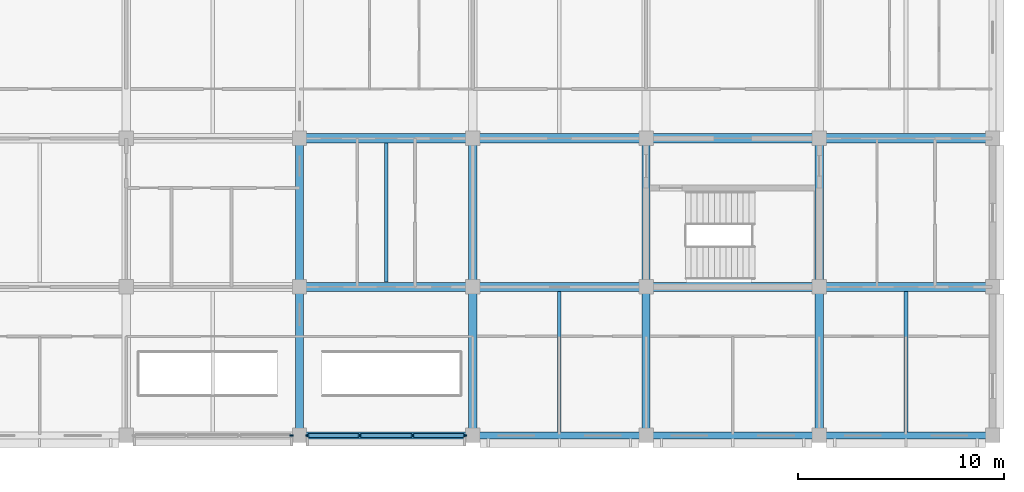
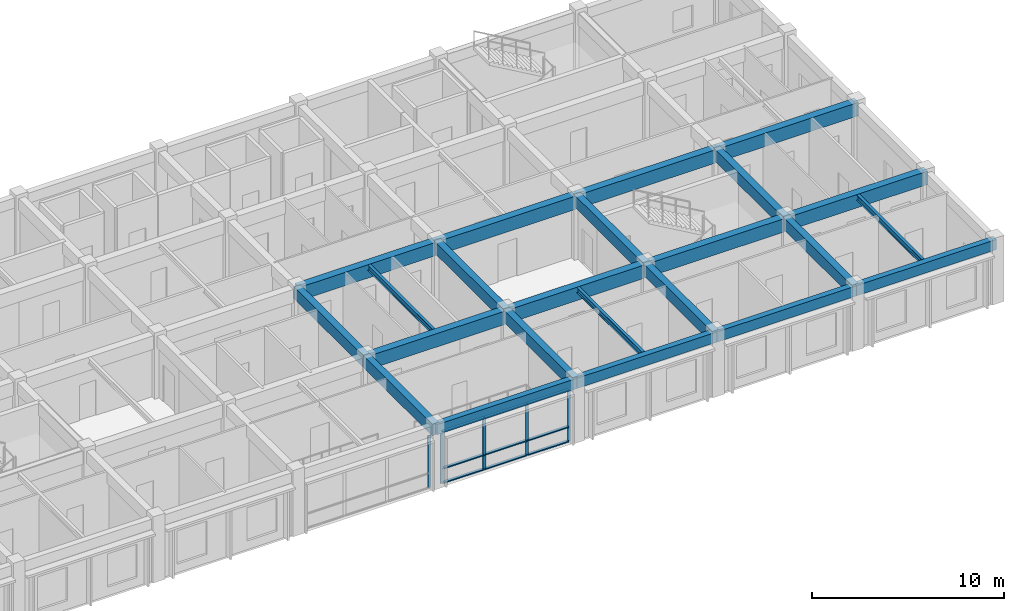
# One storey, part 4 of 17: 23 beams, 14 members, 2 elements without a shape of their own.
"""IFC4 building model written with IfcOpenShell, lengths in metres."""

from ifc_helpers import new_model, si_unit, direction, frame, origin, origin_2d, place, context, subcontext, project, spatial, rectangle, i_section, extrude, material, layer, layer_set, material_profile, profile_set, type_object, element, aggregate, save


model = new_model("IFC4")

# Units and contexts
model_context = context("Model", 3, precision=1e-05, world=origin(), true_north=direction((0.0, 1.0)))
body_context = subcontext(model_context, "Body", "Model", "MODEL_VIEW")
ifc_project = project(units=[si_unit("LENGTHUNIT", "METRE"), si_unit("AREAUNIT", "SQUARE_METRE"), si_unit("VOLUMEUNIT", "CUBIC_METRE"), si_unit("PLANEANGLEUNIT", "RADIAN"), si_unit("MASSUNIT", "GRAM", prefix="KILO")], contexts=[model_context])

# Site, building, storey
site_placement = place(None, origin())
site = spatial("IfcSite", under=ifc_project, at=site_placement, CompositionType="ELEMENT")
building_placement = place(site_placement, origin())
building = spatial("IfcBuilding", under=site, at=building_placement, Name="Chengyuan Square Courthouse", CompositionType="ELEMENT")
storey_placement = place(building_placement, frame((0.0, 0.0, 51.89990234375)))
storey = spatial("IfcBuildingStorey", under=building, at=storey_placement, Name="L12", CompositionType="ELEMENT", Elevation=51.89990234375)

# Beams
ifc_material_1 = material(Name="Concrete C40", Category="concrete")
ifc_material_profile_1 = material_profile(ifc_material_1, rectangle(XDim=0.449951171875, YDim=0.85009765625, at=origin_2d()), Name="RC-BM-450x850")
ifc_profile_set_1 = profile_set([ifc_material_profile_1], Name="Concrete C40")
beam_type_1 = type_object("IfcBeamType", Name="BM-01", PredefinedType="USERDEFINED", material=ifc_profile_set_1)
beam_1_placement = place(storey_placement, frame((84.0, 86.39990234375, 3.53515625), z_axis=(1.0, 0.0, 0.0), x_axis=(0.0, 1.0, 0.0)))
element("IfcBeam", 1, at=beam_1_placement, inside=storey, type_object=beam_type_1, Name="Girder BM-L12-4258", ObjectType="GIRDER", PredefinedType="USERDEFINED", context=body_context, shape_type="SweptSolid", body=[
    extrude(rectangle(XDim=0.449951171875, YDim=0.85009765625, at=origin_2d()), origin(), (0.0, 0.0, 1.0), 8.39990234375),
])
beam_2_placement = place(storey_placement, frame((92.39990234375, 86.39990234375, 3.53515625), z_axis=(1.0, 0.0, 0.0), x_axis=(0.0, 1.0, 0.0)))
element("IfcBeam", 2, at=beam_2_placement, inside=storey, type_object=beam_type_1, Name="Girder BM-L12-4259", ObjectType="GIRDER", PredefinedType="USERDEFINED", context=body_context, shape_type="SweptSolid", body=[
    extrude(rectangle(XDim=0.449951171875, YDim=0.85009765625, at=origin_2d()), origin(), (0.0, 0.0, 1.0), 8.400146484375),
])
beam_3_placement = place(storey_placement, frame((100.800048828125, 86.39990234375, 3.53515625), z_axis=(1.0, 0.0, 0.0), x_axis=(0.0, 1.0, 0.0)))
element("IfcBeam", 3, at=beam_3_placement, inside=storey, type_object=beam_type_1, Name="Girder BM-L12-4260", ObjectType="GIRDER", PredefinedType="USERDEFINED", context=body_context, shape_type="SweptSolid", body=[
    extrude(rectangle(XDim=0.449951171875, YDim=0.85009765625, at=origin_2d()), origin(), (0.0, 0.0, 1.0), 8.39990234375),
])
beam_4_placement = place(storey_placement, frame((109.199951171875, 86.39990234375, 3.53515625), z_axis=(1.0, 0.0, 0.0), x_axis=(0.0, 1.0, 0.0)))
element("IfcBeam", 4, at=beam_4_placement, inside=storey, type_object=beam_type_1, Name="Girder BM-L12-4261", ObjectType="GIRDER", PredefinedType="USERDEFINED", context=body_context, shape_type="SweptSolid", body=[
    extrude(rectangle(XDim=0.449951171875, YDim=0.85009765625, at=origin_2d()), origin(), (0.0, 0.0, 1.0), 8.400146484375),
])
beam_5_placement = place(storey_placement, frame((84.0, 93.60009765625, 3.53515625), z_axis=(1.0, 0.0, 0.0), x_axis=(0.0, 1.0, 0.0)))
element("IfcBeam", 5, at=beam_5_placement, inside=storey, type_object=beam_type_1, Name="Girder BM-L12-4266", ObjectType="GIRDER", PredefinedType="USERDEFINED", context=body_context, shape_type="SweptSolid", body=[
    extrude(rectangle(XDim=0.449951171875, YDim=0.85009765625, at=origin_2d()), origin(), (0.0, 0.0, 1.0), 8.39990234375),
])
beam_6_placement = place(storey_placement, frame((92.39990234375, 93.60009765625, 3.53515625), z_axis=(1.0, 0.0, 0.0), x_axis=(0.0, 1.0, 0.0)))
element("IfcBeam", 6, at=beam_6_placement, inside=storey, type_object=beam_type_1, Name="Girder BM-L12-4267", ObjectType="GIRDER", PredefinedType="USERDEFINED", context=body_context, shape_type="SweptSolid", body=[
    extrude(rectangle(XDim=0.449951171875, YDim=0.85009765625, at=origin_2d()), origin(), (0.0, 0.0, 1.0), 8.400146484375),
])
beam_7_placement = place(storey_placement, frame((100.800048828125, 93.60009765625, 3.53515625), z_axis=(1.0, 0.0, 0.0), x_axis=(0.0, 1.0, 0.0)))
element("IfcBeam", 7, at=beam_7_placement, inside=storey, type_object=beam_type_1, Name="Girder BM-L12-4268", ObjectType="GIRDER", PredefinedType="USERDEFINED", context=body_context, shape_type="SweptSolid", body=[
    extrude(rectangle(XDim=0.449951171875, YDim=0.85009765625, at=origin_2d()), origin(), (0.0, 0.0, 1.0), 8.39990234375),
])
beam_8_placement = place(storey_placement, frame((109.199951171875, 93.60009765625, 3.53515625), z_axis=(1.0, 0.0, 0.0), x_axis=(0.0, 1.0, 0.0)))
element("IfcBeam", 8, at=beam_8_placement, inside=storey, type_object=beam_type_1, Name="Girder BM-L12-4269", ObjectType="GIRDER", PredefinedType="USERDEFINED", context=body_context, shape_type="SweptSolid", body=[
    extrude(rectangle(XDim=0.449951171875, YDim=0.85009765625, at=origin_2d()), origin(), (0.0, 0.0, 1.0), 8.400146484375),
])
ifc_material_profile_2 = material_profile(ifc_material_1, rectangle(XDim=0.39990234375, YDim=0.75, at=origin_2d()), Name="RC-BM-400x750")
ifc_profile_set_2 = profile_set([ifc_material_profile_2], Name="Concrete C40")
beam_type_2 = type_object("IfcBeamType", Name="BM-02", PredefinedType="USERDEFINED", material=ifc_profile_set_2)
beam_9_placement = place(storey_placement, frame((84.0, 79.199951171875, 3.585205078125), z_axis=(0.0, 1.0, 0.0), x_axis=(-1.0, 0.0, 0.0)))
element("IfcBeam", 9, at=beam_9_placement, inside=storey, type_object=beam_type_2, Name="Girder BM-L12-4302", ObjectType="GIRDER", PredefinedType="USERDEFINED", context=body_context, shape_type="SweptSolid", body=[
    extrude(rectangle(XDim=0.39990234375, YDim=0.75, at=origin_2d()), origin(), (0.0, 0.0, 1.0), 7.199951171875),
])
beam_10_placement = place(storey_placement, frame((84.0, 86.39990234375, 3.585205078125), z_axis=(0.0, 1.0, 0.0), x_axis=(-1.0, 0.0, 0.0)))
element("IfcBeam", 10, at=beam_10_placement, inside=storey, type_object=beam_type_2, Name="Girder BM-L12-4303", ObjectType="GIRDER", PredefinedType="USERDEFINED", context=body_context, shape_type="SweptSolid", body=[
    extrude(rectangle(XDim=0.39990234375, YDim=0.75, at=origin_2d()), origin(), (0.0, 0.0, 1.0), 7.2001953125),
])
beam_11_placement = place(storey_placement, frame((92.39990234375, 79.199951171875, 3.585205078125), z_axis=(0.0, 1.0, 0.0), x_axis=(-1.0, 0.0, 0.0)))
element("IfcBeam", 11, at=beam_11_placement, inside=storey, type_object=beam_type_2, Name="Girder BM-L12-4306", ObjectType="GIRDER", PredefinedType="USERDEFINED", context=body_context, shape_type="SweptSolid", body=[
    extrude(rectangle(XDim=0.39990234375, YDim=0.75, at=origin_2d()), origin(), (0.0, 0.0, 1.0), 7.199951171875),
])
beam_12_placement = place(storey_placement, frame((92.39990234375, 86.39990234375, 3.585205078125), z_axis=(0.0, 1.0, 0.0), x_axis=(-1.0, 0.0, 0.0)))
element("IfcBeam", 12, at=beam_12_placement, inside=storey, type_object=beam_type_2, Name="Girder BM-L12-4307", ObjectType="GIRDER", PredefinedType="USERDEFINED", context=body_context, shape_type="SweptSolid", body=[
    extrude(rectangle(XDim=0.39990234375, YDim=0.75, at=origin_2d()), origin(), (0.0, 0.0, 1.0), 7.2001953125),
])
beam_13_placement = place(storey_placement, frame((100.800048828125, 79.199951171875, 3.585205078125), z_axis=(0.0, 1.0, 0.0), x_axis=(-1.0, 0.0, 0.0)))
element("IfcBeam", 13, at=beam_13_placement, inside=storey, type_object=beam_type_2, Name="Girder BM-L12-4310", ObjectType="GIRDER", PredefinedType="USERDEFINED", context=body_context, shape_type="SweptSolid", body=[
    extrude(rectangle(XDim=0.39990234375, YDim=0.75, at=origin_2d()), origin(), (0.0, 0.0, 1.0), 7.199951171875),
])
beam_14_placement = place(storey_placement, frame((100.800048828125, 86.39990234375, 3.585205078125), z_axis=(0.0, 1.0, 0.0), x_axis=(-1.0, 0.0, 0.0)))
element("IfcBeam", 14, at=beam_14_placement, inside=storey, type_object=beam_type_2, Name="Girder BM-L12-4311", ObjectType="GIRDER", PredefinedType="USERDEFINED", context=body_context, shape_type="SweptSolid", body=[
    extrude(rectangle(XDim=0.39990234375, YDim=0.75, at=origin_2d()), origin(), (0.0, 0.0, 1.0), 7.2001953125),
])
beam_15_placement = place(storey_placement, frame((109.199951171875, 79.199951171875, 3.585205078125), z_axis=(0.0, 1.0, 0.0), x_axis=(-1.0, 0.0, 0.0)))
element("IfcBeam", 15, at=beam_15_placement, inside=storey, type_object=beam_type_2, Name="Girder BM-L12-4314", ObjectType="GIRDER", PredefinedType="USERDEFINED", context=body_context, shape_type="SweptSolid", body=[
    extrude(rectangle(XDim=0.39990234375, YDim=0.75, at=origin_2d()), origin(), (0.0, 0.0, 1.0), 7.199951171875),
])
beam_16_placement = place(storey_placement, frame((109.199951171875, 86.39990234375, 3.585205078125), z_axis=(0.0, 1.0, 0.0), x_axis=(-1.0, 0.0, 0.0)))
element("IfcBeam", 16, at=beam_16_placement, inside=storey, type_object=beam_type_2, Name="Girder BM-L12-4315", ObjectType="GIRDER", PredefinedType="USERDEFINED", context=body_context, shape_type="SweptSolid", body=[
    extrude(rectangle(XDim=0.39990234375, YDim=0.75, at=origin_2d()), origin(), (0.0, 0.0, 1.0), 7.2001953125),
])
ifc_material_profile_3 = material_profile(ifc_material_1, rectangle(XDim=0.35009765625, YDim=0.64990234375, at=origin_2d()), Name="RC-BM-350x650")
ifc_profile_set_3 = profile_set([ifc_material_profile_3], Name="Concrete C40")
beam_type_3 = type_object("IfcBeamType", Name="BM-03", PredefinedType="SPANDREL", material=ifc_profile_set_3)
beam_17_placement = place(storey_placement, frame((84.0, 79.199951171875, 3.635009765625), z_axis=(1.0, 0.0, 0.0), x_axis=(0.0, 1.0, 0.0)))
element("IfcBeam", 17, at=beam_17_placement, inside=storey, type_object=beam_type_3, Name="Girder BM-L12-4250", PredefinedType="SPANDREL", context=body_context, shape_type="SweptSolid", body=[
    extrude(rectangle(XDim=0.35009765625, YDim=0.64990234375, at=origin_2d()), origin(), (0.0, 0.0, 1.0), 8.39990234375),
])
beam_18_placement = place(storey_placement, frame((92.39990234375, 79.199951171875, 3.635009765625), z_axis=(1.0, 0.0, 0.0), x_axis=(0.0, 1.0, 0.0)))
element("IfcBeam", 18, at=beam_18_placement, inside=storey, type_object=beam_type_3, Name="Girder BM-L12-4251", PredefinedType="SPANDREL", context=body_context, shape_type="SweptSolid", body=[
    extrude(rectangle(XDim=0.35009765625, YDim=0.64990234375, at=origin_2d()), origin(), (0.0, 0.0, 1.0), 8.400146484375),
])
beam_19_placement = place(storey_placement, frame((100.800048828125, 79.199951171875, 3.635009765625), z_axis=(1.0, 0.0, 0.0), x_axis=(0.0, 1.0, 0.0)))
element("IfcBeam", 19, at=beam_19_placement, inside=storey, type_object=beam_type_3, Name="Girder BM-L12-4252", PredefinedType="SPANDREL", context=body_context, shape_type="SweptSolid", body=[
    extrude(rectangle(XDim=0.35009765625, YDim=0.64990234375, at=origin_2d()), origin(), (0.0, 0.0, 1.0), 8.39990234375),
])
beam_20_placement = place(storey_placement, frame((109.199951171875, 79.199951171875, 3.635009765625), z_axis=(1.0, 0.0, 0.0), x_axis=(0.0, 1.0, 0.0)))
element("IfcBeam", 20, at=beam_20_placement, inside=storey, type_object=beam_type_3, Name="Girder BM-L12-4253", PredefinedType="SPANDREL", context=body_context, shape_type="SweptSolid", body=[
    extrude(rectangle(XDim=0.35009765625, YDim=0.64990234375, at=origin_2d()), origin(), (0.0, 0.0, 1.0), 8.400146484375),
])
ifc_material_2 = material(Name="Steel Q355B", Category="steel")
ifc_material_profile_4 = material_profile(ifc_material_2, i_section(OverallWidth=0.175048828125, OverallDepth=0.35009765625, WebThickness=0.007080078125, FlangeThickness=0.010986328125, at=origin_2d()), Name="HN 350x175x7x11")
ifc_profile_set_4 = profile_set([ifc_material_profile_4], Name="Steel Q355B")
beam_type_4 = type_object("IfcBeamType", Name="BM-08", PredefinedType="BEAM", material=ifc_profile_set_4)
beam_21_placement = place(storey_placement, frame((88.199951171875, 86.625, 3.78515625), z_axis=(0.0, 1.0, 0.0), x_axis=(-1.0, 0.0, 0.0)))
element("IfcBeam", 21, at=beam_21_placement, inside=storey, type_object=beam_type_4, Name="Secondary Floor Beam SBM-L12-4330", PredefinedType="BEAM", context=body_context, shape_type="SweptSolid", body=[
    extrude(i_section(OverallWidth=0.175048828125, OverallDepth=0.35009765625, WebThickness=0.007080078125, FlangeThickness=0.010986328125, at=origin_2d()), origin(), (0.0, 0.0, 1.0), 6.75),
])
for number, where, z_axis, x_axis, name in (
    (22, (96.60009765625, 79.375, 3.78515625), (0.0, 1.0, 0.0), (-1.0, 0.0, 0.0), "Secondary Floor Beam SBM-L12-4331"),
    (23, (113.39990234375, 79.375, 3.78515625), (0.0, 1.0, 0.0), (-1.0, 0.0, 0.0), "Secondary Floor Beam SBM-L12-4333"),
):
    element("IfcBeam", number, at=place(storey_placement, frame(where, z_axis=z_axis, x_axis=x_axis)), inside=storey, type_object=beam_type_4, Name=name, PredefinedType="BEAM", context=body_context, shape_type="SweptSolid", body=[
        extrude(i_section(OverallWidth=0.175048828125, OverallDepth=0.35009765625, WebThickness=0.007080078125, FlangeThickness=0.010986328125, at=origin_2d()), origin(), (0.0, 0.0, 1.0), 6.800048828125),
    ])

# Curtain wall, member
ifc_material_3 = material(Name="Unitised Aluminium and Triple Low-E Glass", Category="aluminium")
ifc_layer = layer(ifc_material_3, 0.179931640625)
ifc_layer_set = layer_set([ifc_layer], Name="Unitised Aluminium and Triple Low-E Glass")
curtain_wall_type = type_object("IfcCurtainWallType", Name="CW-10", PredefinedType="USERDEFINED", material=ifc_layer_set)
curtain_wall_1_placement = place(storey_placement, origin())
curtain_wall_1 = element("IfcCurtainWall", 24, at=curtain_wall_1_placement, inside=storey, type_object=curtain_wall_type, Name="Unitised Curtain Wall CW-L12-264", ObjectType="UNITISED CURTAIN WALL", PredefinedType="USERDEFINED")
ifc_material_4 = material(Name="Aluminium 6063-T6 Frame", Category="aluminium")
ifc_material_profile_5 = material_profile(ifc_material_4, rectangle(XDim=0.06494140625, YDim=0.179931640625, at=origin_2d()), Name="CW-MUL-65x180")
ifc_profile_set_5 = profile_set([ifc_material_profile_5], Name="Aluminium 6063-T6 Frame")
member_type_1 = type_object("IfcMemberType", Name="CWM-02", PredefinedType="MULLION", material=ifc_profile_set_5)
member_1_placement = place(storey_placement, frame((83.617431640625, 79.199951171875, 0.0), z_axis=(0.0, 0.0, 1.0), x_axis=(0.0, 1.0, 0.0)))
member_1 = element("IfcMember", 25, at=member_1_placement, type_object=member_type_1, Name="CW-10 mullion 4", PredefinedType="MULLION", context=body_context, shape_type="SweptSolid", body=[
    extrude(rectangle(XDim=0.06494140625, YDim=0.179931640625, at=origin_2d()), origin(), (0.0, 0.0, 1.0), 3.31005859375),
])
aggregate(curtain_wall_1, [member_1])

# Curtain wall, members
curtain_wall_2_placement = place(storey_placement, origin())
curtain_wall_2 = element("IfcCurtainWall", 26, at=curtain_wall_2_placement, inside=storey, type_object=curtain_wall_type, Name="Unitised Curtain Wall CW-L12-265", ObjectType="UNITISED CURTAIN WALL", PredefinedType="USERDEFINED")
member_2_placement = place(storey_placement, frame((84.382568359375, 79.199951171875, 0.0), z_axis=(0.0, 0.0, 1.0), x_axis=(0.0, 1.0, 0.0)))
member_2 = element("IfcMember", 27, at=member_2_placement, type_object=member_type_1, Name="CW-10 mullion 1", PredefinedType="MULLION", context=body_context, shape_type="SweptSolid", body=[
    extrude(rectangle(XDim=0.06494140625, YDim=0.179931640625, at=origin_2d()), origin(), (0.0, 0.0, 1.0), 3.31005859375),
])
member_3_placement = place(storey_placement, frame((86.916748046875, 79.199951171875, 0.0), z_axis=(0.0, 0.0, 1.0), x_axis=(0.0, 1.0, 0.0)))
member_3 = element("IfcMember", 28, at=member_3_placement, type_object=member_type_1, Name="CW-10 mullion 2", PredefinedType="MULLION", context=body_context, shape_type="SweptSolid", body=[
    extrude(rectangle(XDim=0.06494140625, YDim=0.179931640625, at=origin_2d()), origin(), (0.0, 0.0, 1.0), 3.31005859375),
])
member_4_placement = place(storey_placement, frame((89.4833984375, 79.199951171875, 0.0), z_axis=(0.0, 0.0, 1.0), x_axis=(0.0, 1.0, 0.0)))
member_4 = element("IfcMember", 29, at=member_4_placement, type_object=member_type_1, Name="CW-10 mullion 3", PredefinedType="MULLION", context=body_context, shape_type="SweptSolid", body=[
    extrude(rectangle(XDim=0.06494140625, YDim=0.179931640625, at=origin_2d()), origin(), (0.0, 0.0, 1.0), 3.31005859375),
])
member_5_placement = place(storey_placement, frame((92.017578125, 79.199951171875, 0.0), z_axis=(0.0, 0.0, 1.0), x_axis=(0.0, 1.0, 0.0)))
member_5 = element("IfcMember", 30, at=member_5_placement, type_object=member_type_1, Name="CW-10 mullion 4", PredefinedType="MULLION", context=body_context, shape_type="SweptSolid", body=[
    extrude(rectangle(XDim=0.06494140625, YDim=0.179931640625, at=origin_2d()), origin(), (0.0, 0.0, 1.0), 3.31005859375),
])
ifc_material_profile_6 = material_profile(ifc_material_4, rectangle(XDim=0.179931640625, YDim=0.06494140625, at=origin_2d()), Name="CW-TRN-65x140")
ifc_profile_set_6 = profile_set([ifc_material_profile_6], Name="Aluminium 6063-T6 Frame")
member_type_2 = type_object("IfcMemberType", Name="CWT-02", PredefinedType="USERDEFINED", material=ifc_profile_set_6)
member_6_placement = place(storey_placement, frame((84.4150390625, 79.199951171875, 0.03271484375), z_axis=(1.0, 0.0, 0.0), x_axis=(0.0, 1.0, 0.0)))
member_6 = element("IfcMember", 31, at=member_6_placement, type_object=member_type_2, Name="CW-10 transom 1.1", ObjectType="TRANSOM", PredefinedType="USERDEFINED", context=body_context, shape_type="SweptSolid", body=[
    extrude(rectangle(XDim=0.179931640625, YDim=0.06494140625, at=origin_2d()), origin(), (0.0, 0.0, 1.0), 2.46923828125),
])
member_7_placement = place(storey_placement, frame((84.4150390625, 79.199951171875, 0.9501953125), z_axis=(1.0, 0.0, 0.0), x_axis=(0.0, 1.0, 0.0)))
member_7 = element("IfcMember", 32, at=member_7_placement, type_object=member_type_2, Name="CW-10 transom 1.2", ObjectType="TRANSOM", PredefinedType="USERDEFINED", context=body_context, shape_type="SweptSolid", body=[
    extrude(rectangle(XDim=0.179931640625, YDim=0.06494140625, at=origin_2d()), origin(), (0.0, 0.0, 1.0), 2.46923828125),
])
member_8_placement = place(storey_placement, frame((84.4150390625, 79.199951171875, 3.277587890625), z_axis=(1.0, 0.0, 0.0), x_axis=(0.0, 1.0, 0.0)))
member_8 = element("IfcMember", 33, at=member_8_placement, type_object=member_type_2, Name="CW-10 transom 1.3", ObjectType="TRANSOM", PredefinedType="USERDEFINED", context=body_context, shape_type="SweptSolid", body=[
    extrude(rectangle(XDim=0.179931640625, YDim=0.06494140625, at=origin_2d()), origin(), (0.0, 0.0, 1.0), 2.46923828125),
])
member_9_placement = place(storey_placement, frame((86.94921875, 79.199951171875, 0.03271484375), z_axis=(1.0, 0.0, 0.0), x_axis=(0.0, 1.0, 0.0)))
member_9 = element("IfcMember", 34, at=member_9_placement, type_object=member_type_2, Name="CW-10 transom 2.1", ObjectType="TRANSOM", PredefinedType="USERDEFINED", context=body_context, shape_type="SweptSolid", body=[
    extrude(rectangle(XDim=0.179931640625, YDim=0.06494140625, at=origin_2d()), origin(), (0.0, 0.0, 1.0), 2.501708984375),
])
member_10_placement = place(storey_placement, frame((86.94921875, 79.199951171875, 0.9501953125), z_axis=(1.0, 0.0, 0.0), x_axis=(0.0, 1.0, 0.0)))
member_10 = element("IfcMember", 35, at=member_10_placement, type_object=member_type_2, Name="CW-10 transom 2.2", ObjectType="TRANSOM", PredefinedType="USERDEFINED", context=body_context, shape_type="SweptSolid", body=[
    extrude(rectangle(XDim=0.179931640625, YDim=0.06494140625, at=origin_2d()), origin(), (0.0, 0.0, 1.0), 2.501708984375),
])
member_11_placement = place(storey_placement, frame((86.94921875, 79.199951171875, 3.277587890625), z_axis=(1.0, 0.0, 0.0), x_axis=(0.0, 1.0, 0.0)))
member_11 = element("IfcMember", 36, at=member_11_placement, type_object=member_type_2, Name="CW-10 transom 2.3", ObjectType="TRANSOM", PredefinedType="USERDEFINED", context=body_context, shape_type="SweptSolid", body=[
    extrude(rectangle(XDim=0.179931640625, YDim=0.06494140625, at=origin_2d()), origin(), (0.0, 0.0, 1.0), 2.501708984375),
])
member_12_placement = place(storey_placement, frame((89.515869140625, 79.199951171875, 0.03271484375), z_axis=(1.0, 0.0, 0.0), x_axis=(0.0, 1.0, 0.0)))
member_12 = element("IfcMember", 37, at=member_12_placement, type_object=member_type_2, Name="CW-10 transom 3.1", ObjectType="TRANSOM", PredefinedType="USERDEFINED", context=body_context, shape_type="SweptSolid", body=[
    extrude(rectangle(XDim=0.179931640625, YDim=0.06494140625, at=origin_2d()), origin(), (0.0, 0.0, 1.0), 2.46923828125),
])
member_13_placement = place(storey_placement, frame((89.515869140625, 79.199951171875, 0.9501953125), z_axis=(1.0, 0.0, 0.0), x_axis=(0.0, 1.0, 0.0)))
member_13 = element("IfcMember", 38, at=member_13_placement, type_object=member_type_2, Name="CW-10 transom 3.2", ObjectType="TRANSOM", PredefinedType="USERDEFINED", context=body_context, shape_type="SweptSolid", body=[
    extrude(rectangle(XDim=0.179931640625, YDim=0.06494140625, at=origin_2d()), origin(), (0.0, 0.0, 1.0), 2.46923828125),
])
member_14_placement = place(storey_placement, frame((89.515869140625, 79.199951171875, 3.277587890625), z_axis=(1.0, 0.0, 0.0), x_axis=(0.0, 1.0, 0.0)))
member_14 = element("IfcMember", 39, at=member_14_placement, type_object=member_type_2, Name="CW-10 transom 3.3", ObjectType="TRANSOM", PredefinedType="USERDEFINED", context=body_context, shape_type="SweptSolid", body=[
    extrude(rectangle(XDim=0.179931640625, YDim=0.06494140625, at=origin_2d()), origin(), (0.0, 0.0, 1.0), 2.46923828125),
])
aggregate(curtain_wall_2, [member_2, member_3, member_4, member_5, member_6, member_7, member_8, member_9, member_10, member_11, member_12, member_13, member_14])

save(model, "model.ifc")
